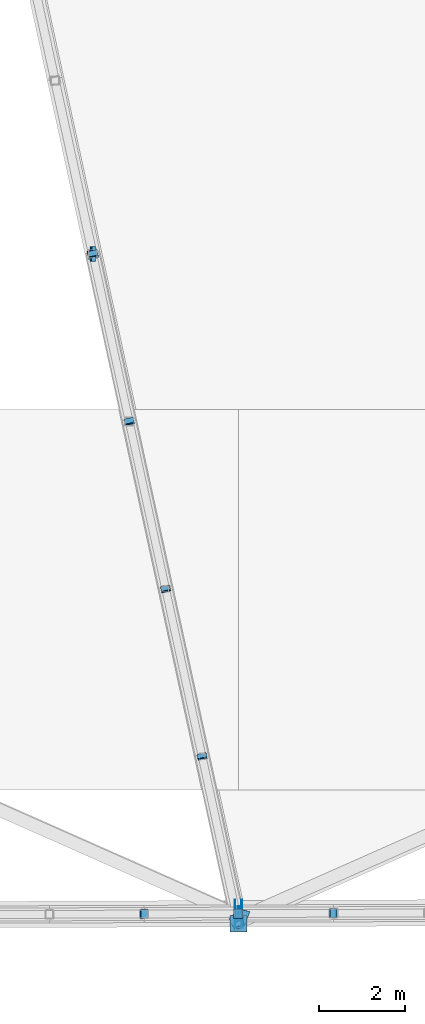
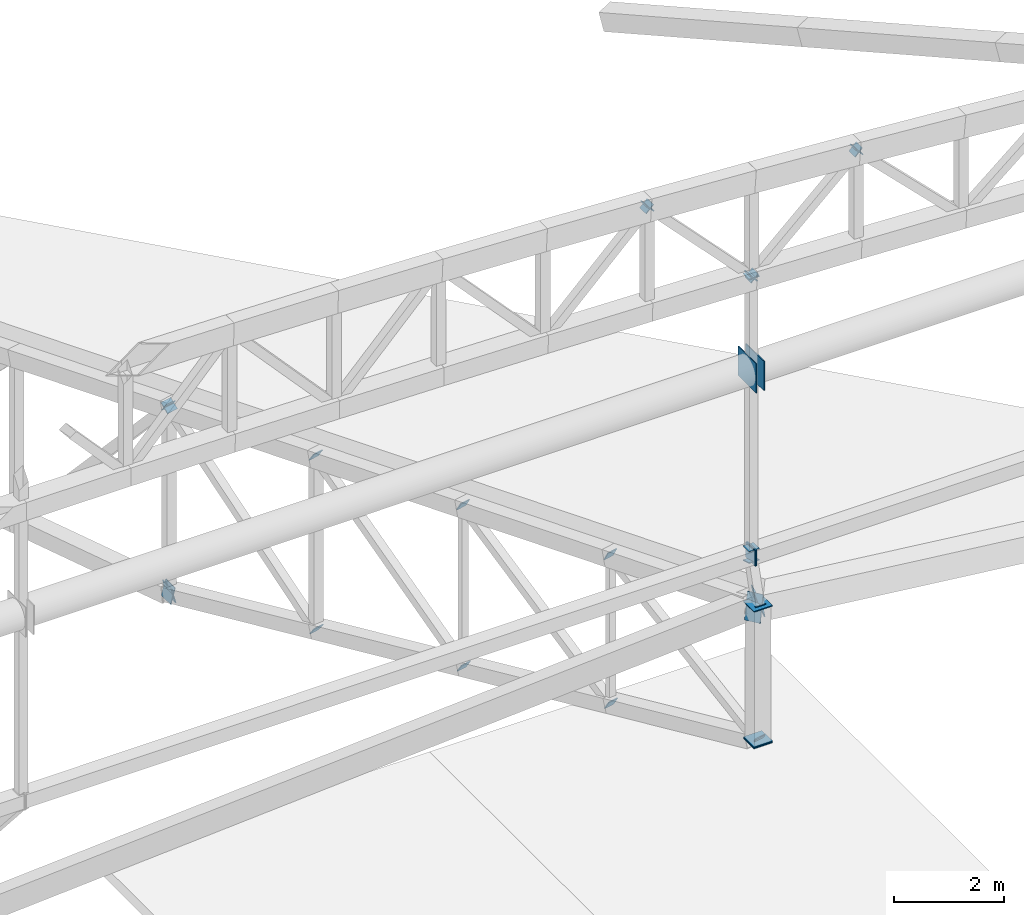
# One storey, part 131 of 188: 30 discrete accessories.
"""IFC4 building model written with IfcOpenShell, lengths in metres."""

from ifc_helpers import new_model, si_unit, direction, frame, origin, origin_2d, place, context, subcontext, project, spatial, rectangle, extrude, material, material_profile, profile_set, type_object, element, save


model = new_model("IFC4")

# Units and contexts
model_context = context("Model", 3, precision=1e-05, world=origin(), true_north=direction((0.0, 1.0)))
body_context = subcontext(model_context, "Body", "Model", "MODEL_VIEW")
ifc_project = project(units=[si_unit("LENGTHUNIT", "METRE"), si_unit("AREAUNIT", "SQUARE_METRE"), si_unit("VOLUMEUNIT", "CUBIC_METRE"), si_unit("PLANEANGLEUNIT", "RADIAN"), si_unit("MASSUNIT", "GRAM", prefix="KILO")], contexts=[model_context])

# Site, building, storey
site_placement = place(None, origin())
site = spatial("IfcSite", under=ifc_project, at=site_placement, CompositionType="ELEMENT")
building_placement = place(site_placement, origin())
building = spatial("IfcBuilding", under=site, at=building_placement, Name="Meseta Stadium", CompositionType="ELEMENT")
storey_placement = place(building_placement, frame((0.0, 0.0, 30.0)))
storey = spatial("IfcBuildingStorey", under=building, at=storey_placement, Name="ROOF", CompositionType="ELEMENT", Elevation=30.0)

# Discrete accessories
ifc_material_1 = material(Name="Steel S355", Category="steel")
ifc_material_profile_1 = material_profile(ifc_material_1, rectangle(XDim=0.219970703125, YDim=0.219970703125, at=origin_2d()), Name="PL 220x220")
ifc_profile_set_1 = profile_set([ifc_material_profile_1], Name="Steel S355")
discrete_accessory_type_1 = type_object("IfcDiscreteAccessoryType", Name="End plate 220x220x20", PredefinedType="ANCHORPLATE", material=ifc_profile_set_1)
discrete_accessory_1_placement = place(storey_placement, frame((19.6240234375, -89.887939453125, 6.659423828125), z_axis=(0.169500966202, -0.78696877165, -0.593253381705), x_axis=(0.977581781174, 0.210556075945, 0.0)))
element("IfcDiscreteAccessory", 1, at=discrete_accessory_1_placement, inside=storey, type_object=discrete_accessory_type_1, Name="End plate of ROOF TRUSS RT-48 diagonal", PredefinedType="ANCHORPLATE", context=body_context, shape_type="SweptSolid", body=[
    extrude(rectangle(XDim=0.219970703125, YDim=0.219970703125, at=origin_2d()), origin(), (0.0, 0.0, 1.0), 0.020263671875),
])
for number, where, z_axis, x_axis, name in (
    (2, (20.470703125, -93.77783203125, 3.77734375), (0.170719013038, -0.792623989105, -0.585322330416), (0.977581781174, 0.210556075945, 0.0), "End plate of ROOF TRUSS RT-48 diagonal"),
    (3, (20.467041015625, -93.761474609375, 7.616943359375), (0.183941801845, -0.82160671491, -0.539562618747), (0.975843140333, 0.218472344851, 0.0), "End plate of ROOF TRUSS RT-48 diagonal"),
    (4, (21.313720703125, -97.65185546875, 5.011962890625), (0.183941801845, -0.82160671491, -0.539562618747), (0.975843140333, 0.218472344851, 0.0), "End plate of ROOF TRUSS RT-48 diagonal"),
    (5, (21.31005859375, -97.635009765625, 8.57470703125), (0.183707138088, -0.845052835203, -0.502132844106), (0.977176363923, 0.212429644331, 0.0), "End plate of ROOF TRUSS RT-48 diagonal"),
    (6, (22.156982421875, -101.52587890625, 6.246826171875), (0.183707138088, -0.845052835203, -0.502132844106), (0.977176363923, 0.212429644331, 0.0), "End plate of ROOF TRUSS RT-48 diagonal"),
    (7, (22.153076171875, -101.508544921875, 9.5322265625), (0.195968978117, -0.869612340392, -0.453178261894), (0.97553613825, 0.219839129747, 0.0), "End plate of ROOF TRUSS RT-48 diagonal"),
):
    element("IfcDiscreteAccessory", number, at=place(storey_placement, frame(where, z_axis=z_axis, x_axis=x_axis)), inside=storey, type_object=discrete_accessory_type_1, Name=name, PredefinedType="ANCHORPLATE", context=body_context, shape_type="SweptSolid", body=[
        extrude(rectangle(XDim=0.219970703125, YDim=0.219970703125, at=origin_2d()), origin(), (0.0, 0.0, 1.0), 0.02001953125),
    ])
discrete_accessory_2_placement = place(storey_placement, frame((23.0, -105.39990234375, 7.481689453125), z_axis=(0.181196954177, -0.869745380051, -0.459032283916), x_axis=(0.978980419738, 0.203954254112, 0.0)))
element("IfcDiscreteAccessory", 8, at=discrete_accessory_2_placement, inside=storey, type_object=discrete_accessory_type_1, Name="End plate of ROOF TRUSS RT-48 diagonal", PredefinedType="ANCHORPLATE", context=body_context, shape_type="SweptSolid", body=[
    extrude(rectangle(XDim=0.219970703125, YDim=0.219970703125, at=origin_2d()), origin(), (0.0, 0.0, 1.0), 0.020263671875),
])
discrete_accessory_3_placement = place(storey_placement, frame((20.8125, -105.17236328125, 19.900146484375), z_axis=(0.713228571152, 0.0, 0.700931526822), x_axis=(0.0, 1.0, 0.0)))
element("IfcDiscreteAccessory", 9, at=discrete_accessory_3_placement, inside=storey, type_object=discrete_accessory_type_1, Name="End plate of GABLE ARCH GA-S diagonal", PredefinedType="ANCHORPLATE", context=body_context, shape_type="SweptSolid", body=[
    extrude(rectangle(XDim=0.219970703125, YDim=0.219970703125, at=origin_2d()), origin(), (0.0, 0.0, 1.0), 0.019775390625),
])
for number, where, z_axis, x_axis, name in (
    (10, (20.798583984375, -105.172607421875, 19.91455078125), (0.694760406175, 0.012188779056, -0.719137964286), (-0.017541160386, 0.99984614201, 0.0), "End plate of GABLE ARCH GA-S diagonal"),
    (11, (22.9990234375, -105.1640625, 17.605712890625), (0.694812020929, 0.0, -0.719191390085), (0.0, 1.0, 0.0), "End plate of GABLE ARCH GA-S diagonal"),
):
    element("IfcDiscreteAccessory", number, at=place(storey_placement, frame(where, z_axis=z_axis, x_axis=x_axis)), inside=storey, type_object=discrete_accessory_type_1, Name=name, PredefinedType="ANCHORPLATE", context=body_context, shape_type="SweptSolid", body=[
        extrude(rectangle(XDim=0.219970703125, YDim=0.219970703125, at=origin_2d()), origin(), (0.0, 0.0, 1.0), 0.02001953125),
    ])
discrete_accessory_4_placement = place(storey_placement, frame((22.984375, -105.1640625, 17.59228515625), z_axis=(0.737154140201, 0.0, 0.675724628517), x_axis=(0.0, 1.0, 0.0)))
element("IfcDiscreteAccessory", 12, at=discrete_accessory_4_placement, inside=storey, type_object=discrete_accessory_type_1, Name="End plate of GABLE ARCH GA-S diagonal", PredefinedType="ANCHORPLATE", context=body_context, shape_type="SweptSolid", body=[
    extrude(rectangle(XDim=0.219970703125, YDim=0.219970703125, at=origin_2d()), origin(), (0.0, 0.0, 1.0), 0.019775390625),
])
for number, where, z_axis, x_axis, name in (
    (13, (25.193359375, -105.155517578125, 19.610107421875), (0.731055268243, 0.0, 0.68231825036), (0.0, 1.0, 0.0), "End plate of GABLE ARCH GA-S diagonal"),
    (14, (25.17919921875, -105.155517578125, 19.624267578125), (0.707106781187, 0.0, -0.707106781187), (0.0, 1.0, 0.0), "End plate of GABLE ARCH GA-S diagonal"),
    (15, (22.9990234375, -105.1640625, 17.625732421875), (0.0, 0.0, -1.0), (1.0, 0.0, 0.0), "End plate of GABLE ARCH GA-S hanger RT-48"),
    (16, (22.9990234375, -105.1640625, 11.60009765625), (0.0, 0.0, -1.0), (1.0, 0.0, 0.0), "End plate of GABLE ARCH GA-S hanger RT-48"),
    (17, (22.9990234375, -105.158447265625, 11.3193359375), (0.0, -0.279533267892, -0.960136007106), (1.0, 0.0, 0.0), "End plate of GABLE ARCH GA-S hanger RT-48"),
    (18, (23.0, -105.39990234375, 10.481689453125), (0.0, -0.279533267892, -0.960136007106), (1.0, 0.0, 0.0), "End plate of GABLE ARCH GA-S hanger RT-48"),
):
    element("IfcDiscreteAccessory", number, at=place(storey_placement, frame(where, z_axis=z_axis, x_axis=x_axis)), inside=storey, type_object=discrete_accessory_type_1, Name=name, PredefinedType="ANCHORPLATE", context=body_context, shape_type="SweptSolid", body=[
        extrude(rectangle(XDim=0.219970703125, YDim=0.219970703125, at=origin_2d()), origin(), (0.0, 0.0, 1.0), 0.02001953125),
    ])
ifc_material_2 = material(Name="Steel S355", Category="steel")
ifc_material_profile_2 = material_profile(ifc_material_2, rectangle(XDim=0.239990234375, YDim=0.239990234375, at=origin_2d()), Name="PL 240x240")
ifc_profile_set_2 = profile_set([ifc_material_profile_2], Name="Steel S355")
discrete_accessory_type_2 = type_object("IfcDiscreteAccessoryType", Name="End plate 240x240x20", PredefinedType="ANCHORPLATE", material=ifc_profile_set_2)
discrete_accessory_5_placement = place(storey_placement, frame((19.62744140625, -89.90380859375, 6.6474609375), z_axis=(0.14555348595, -0.642861229614, 0.752026344077), x_axis=(0.975313298974, 0.220825652598, 0.0)))
element("IfcDiscreteAccessory", 19, at=discrete_accessory_5_placement, inside=storey, type_object=discrete_accessory_type_2, Name="End plate of ROOF TRUSS RT-48 diagonal", PredefinedType="ANCHORPLATE", context=body_context, shape_type="SweptSolid", body=[
    extrude(rectangle(XDim=0.239990234375, YDim=0.239990234375, at=origin_2d()), origin(), (0.0, 0.0, 1.0), 0.02001953125),
])
ifc_material_3 = material(Name="Steel S355", Category="steel")
ifc_material_profile_3 = material_profile(ifc_material_3, rectangle(XDim=0.340087890625, YDim=0.340087890625, at=origin_2d()), Name="PL 340x340")
ifc_profile_set_3 = profile_set([ifc_material_profile_3], Name="Steel S355")
discrete_accessory_type_3 = type_object("IfcDiscreteAccessoryType", Name="End plate 340x340x20", PredefinedType="ANCHORPLATE", material=ifc_profile_set_3)
for number, where, z_axis, x_axis, name in (
    (20, (19.62744140625, -89.90380859375, 2.54248046875), (0.9661485472, -0.024459456891, 0.256824297357), (0.025308346645, 0.999679692497, 0.0), "End plate of ROOF PIVOT STRUT RT-47/48"),
    (21, (19.608154296875, -89.90380859375, 2.5478515625), (0.963343002143, 0.0, -0.268272734774), (0.0, 1.0, 0.0), "End plate of ROOF PIVOT STRUT RT-48/49"),
    (22, (22.9990234375, -105.1640625, 11.449951171875), (1.0, 0.0, 0.0), (0.0, 1.0, 0.0), "End plate of GABLE ARCH GA-S sill beam 04"),
    (23, (22.97900390625, -105.1640625, 11.449951171875), (1.0, 0.0, 0.0), (0.0, 1.0, 0.0), "End plate of GABLE ARCH GA-S sill beam 05"),
):
    element("IfcDiscreteAccessory", number, at=place(storey_placement, frame(where, z_axis=z_axis, x_axis=x_axis)), inside=storey, type_object=discrete_accessory_type_3, Name=name, PredefinedType="ANCHORPLATE", context=body_context, shape_type="SweptSolid", body=[
        extrude(rectangle(XDim=0.340087890625, YDim=0.340087890625, at=origin_2d()), origin(), (0.0, 0.0, 1.0), 0.02001953125),
    ])
ifc_material_4 = material(Name="Steel S355", Category="steel")
ifc_material_profile_4 = material_profile(ifc_material_4, rectangle(XDim=0.340087890625, YDim=0.5400390625, at=origin_2d()), Name="PL 340x540")
ifc_profile_set_4 = profile_set([ifc_material_profile_4], Name="Steel S355")
discrete_accessory_type_4 = type_object("IfcDiscreteAccessoryType", Name="End plate 340x540x20", PredefinedType="ANCHORPLATE", material=ifc_profile_set_4)
discrete_accessory_6_placement = place(storey_placement, frame((23.084716796875, -105.24169921875, 10.42138671875), z_axis=(0.847504831008, -0.375323568018, 0.375323568018), x_axis=(0.386067412763, 0.921147817942, 0.049382692348)))
element("IfcDiscreteAccessory", 24, at=discrete_accessory_6_placement, inside=storey, type_object=discrete_accessory_type_4, Name="End plate of RIM RING BEAM 48", PredefinedType="ANCHORPLATE", context=body_context, shape_type="SweptSolid", body=[
    extrude(rectangle(XDim=0.340087890625, YDim=0.5400390625, at=origin_2d()), origin(), (0.0, 0.0, 1.0), 0.020263671875),
])
discrete_accessory_7_placement = place(storey_placement, frame((22.935546875, -105.3564453125, 10.40576171875), z_axis=(0.844040643991, 0.379206666141, -0.379206666141), x_axis=(-0.456967669648, 0.878636723174, -0.138484864106)))
element("IfcDiscreteAccessory", 25, at=discrete_accessory_7_placement, inside=storey, type_object=discrete_accessory_type_4, Name="End plate of RIM RING BEAM 49", PredefinedType="ANCHORPLATE", context=body_context, shape_type="SweptSolid", body=[
    extrude(rectangle(XDim=0.340087890625, YDim=0.5400390625, at=origin_2d()), origin(), (0.0, 0.0, 1.0), 0.02001953125),
])
ifc_material_5 = material(Name="Steel S355", Category="steel")
ifc_material_profile_5 = material_profile(ifc_material_5, rectangle(XDim=0.389892578125, YDim=0.389892578125, at=origin_2d()), Name="PL 390x390")
ifc_profile_set_5 = profile_set([ifc_material_profile_5], Name="Steel S355")
discrete_accessory_type_5 = type_object("IfcDiscreteAccessoryType", Name="End plate 390x390x20", PredefinedType="ANCHORPLATE", material=ifc_profile_set_5)
for number, where, z_axis, x_axis, name in (
    (26, (23.0, -105.39990234375, 7.461669921875), (0.0, 0.0, 1.0), (1.0, 0.0, 0.0), "End plate of ROOF TRUSS RT-48 post"),
    (27, (23.0, -105.39990234375, 10.481689453125), (0.0, 0.0, 1.0), (1.0, 0.0, 0.0), "End plate of ROOF TRUSS RT-48 post"),
    (28, (23.0, -105.39990234375, 7.481689453125), (0.0, 0.0, 1.0), (1.0, 0.0, 0.0), "End plate of ROOF RIM POST RT-48"),
):
    element("IfcDiscreteAccessory", number, at=place(storey_placement, frame(where, z_axis=z_axis, x_axis=x_axis)), inside=storey, type_object=discrete_accessory_type_5, Name=name, PredefinedType="ANCHORPLATE", context=body_context, shape_type="SweptSolid", body=[
        extrude(rectangle(XDim=0.389892578125, YDim=0.389892578125, at=origin_2d()), origin(), (0.0, 0.0, 1.0), 0.02001953125),
    ])
ifc_material_6 = material(Name="Steel S355", Category="steel")
ifc_material_profile_6 = material_profile(ifc_material_6, rectangle(XDim=0.64990234375, YDim=0.64990234375, at=origin_2d()), Name="PL 650x650")
ifc_profile_set_6 = profile_set([ifc_material_profile_6], Name="Steel S355")
discrete_accessory_type_6 = type_object("IfcDiscreteAccessoryType", Name="End plate 650x650x20", PredefinedType="ANCHORPLATE", material=ifc_profile_set_6)
for number, where, z_axis, x_axis, name in (
    (29, (22.9091796875, -105.164306640625, 15.550048828125), (1.0, 0.0, 0.0), (0.0, 1.0, 0.0), "End plate of GABLE ARCH GA-S tie 04"),
    (30, (23.069091796875, -105.163818359375, 15.550048828125), (0.999925647793, 0.012194215217, 0.0), (-0.012194215217, 0.999925647793, 0.0), "End plate of GABLE ARCH GA-S tie 05"),
):
    element("IfcDiscreteAccessory", number, at=place(storey_placement, frame(where, z_axis=z_axis, x_axis=x_axis)), inside=storey, type_object=discrete_accessory_type_6, Name=name, PredefinedType="ANCHORPLATE", context=body_context, shape_type="SweptSolid", body=[
        extrude(rectangle(XDim=0.64990234375, YDim=0.64990234375, at=origin_2d()), origin(), (0.0, 0.0, 1.0), 0.02001953125),
    ])

save(model, "model.ifc")
